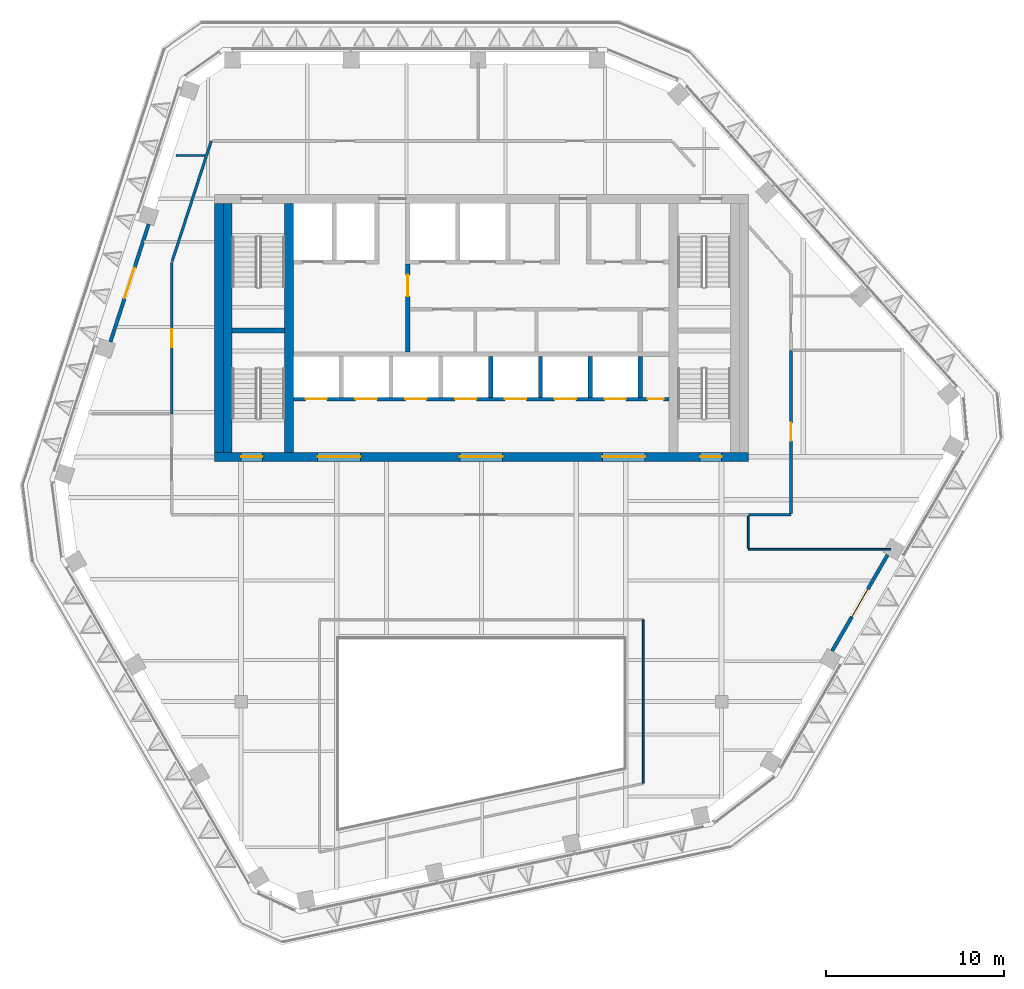
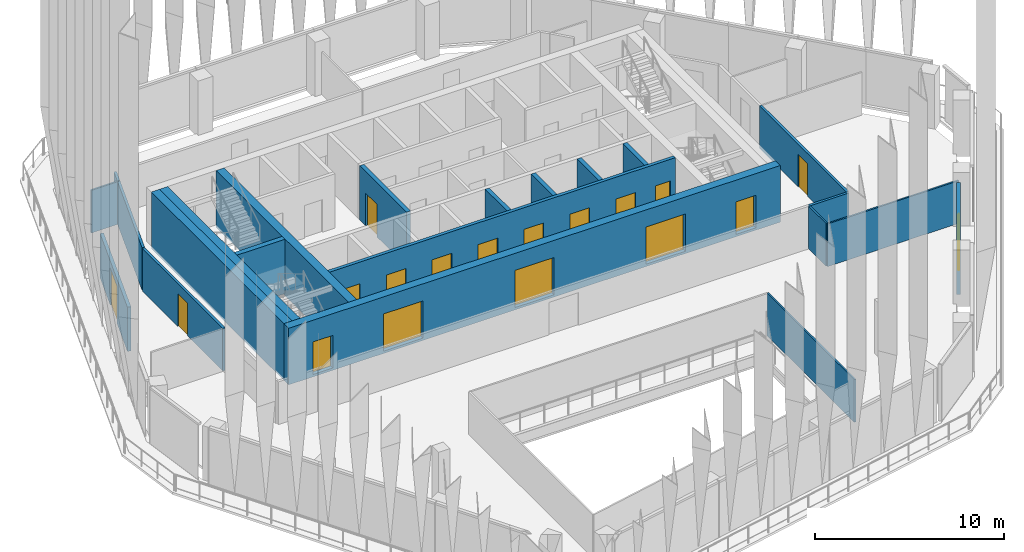
# One storey, part 8 of 21: 22 walls, 18 doors, 18 openings.
"""IFC4 building model written with IfcOpenShell, lengths in metres."""

from ifc_helpers import new_model, si_unit, direction, frame, frame_2d, origin, place, context, subcontext, project, spatial, rectangle, extrude, material, layer, layer_set, type_object, element, fill, save


model = new_model("IFC4")

# Units and contexts
model_context = context("Model", 3, precision=1e-05, world=origin(), true_north=direction((0.0, 1.0)))
body_context = subcontext(model_context, "Body", "Model", "MODEL_VIEW")
ifc_project = project(units=[si_unit("LENGTHUNIT", "METRE"), si_unit("AREAUNIT", "SQUARE_METRE"), si_unit("VOLUMEUNIT", "CUBIC_METRE"), si_unit("PLANEANGLEUNIT", "RADIAN"), si_unit("MASSUNIT", "GRAM", prefix="KILO")], contexts=[model_context])

# Site, building, storey
site_placement = place(None, origin())
site = spatial("IfcSite", under=ifc_project, at=site_placement, CompositionType="ELEMENT")
building_placement = place(site_placement, origin())
building = spatial("IfcBuilding", under=site, at=building_placement, Name="Isthmus Gate Tower", CompositionType="ELEMENT")
storey_placement = place(building_placement, frame((0.0, 0.0, 260.949951171875)))
storey = spatial("IfcBuildingStorey", under=building, at=storey_placement, Name="L66", CompositionType="ELEMENT", Elevation=260.949951171875)

# Walls
ifc_material_1 = material(Name="Fire-rated laminated glass in steel frame", Category="steel")
ifc_layer_1 = layer(ifc_material_1, 0.10009765625)
ifc_layer_set_1 = layer_set([ifc_layer_1], Name="ATRIUM SCREEN GLAZED WALL 100 120 MIN")
wall_type_1 = type_object("IfcWallType", Name="ATRIUM SCREEN GLAZED WALL 100 120 MIN", PredefinedType="PARTITIONING", material=ifc_layer_set_1)
wall_1_placement = place(storey_placement, frame((9.10009765625, -8.89990234375, 0.0), z_axis=(0.0, 0.0, 1.0), x_axis=(0.0, -1.0, 0.0)))
element("IfcWall", 1, at=wall_1_placement, inside=storey, type_object=wall_type_1, Name="L66 atrium screen", PredefinedType="PARTITIONING", context=body_context, shape_type="SweptSolid", body=[
    extrude(rectangle(XDim=9.200927734375, YDim=0.10009765625, at=frame_2d((4.6005859375, 0.0))), origin(), (0.0, 0.0, 1.0), 2.750732421875),
])
ifc_material_2 = material(Name="Gypsum board on steel studs, fire-rated", Category="steel")
ifc_layer_2 = layer(ifc_material_2, 0.14990234375)
ifc_layer_set_2 = layer_set([ifc_layer_2], Name="CORRIDOR WALL 150 60 MIN")
wall_type_2 = type_object("IfcWallType", Name="CORRIDOR WALL 150 60 MIN", PredefinedType="PARTITIONING", material=ifc_layer_set_2)
wall_2_placement = place(storey_placement, frame((17.39990234375, -3.0, 0.0), z_axis=(0.0, 0.0, 1.0), x_axis=(-1.0, 0.0, 0.0)))
element("IfcWall", 2, at=wall_2_placement, inside=storey, type_object=wall_type_2, Name="L66 Corridor Wall 150 60 Min", PredefinedType="PARTITIONING", context=body_context, shape_type="SweptSolid", body=[
    extrude(rectangle(XDim=2.39990234375, YDim=0.14990234375, at=frame_2d((1.199951171875, 0.0))), origin(), (0.0, 0.0, 1.0), 2.750732421875),
])

# Wall, opening, door
wall_3_placement = place(storey_placement, frame((17.39990234375, 6.237060546875, 0.0), z_axis=(0.0, 0.0, 1.0), x_axis=(0.0, -1.0, 0.0)))
wall_3 = element("IfcWall", 3, at=wall_3_placement, inside=storey, type_object=wall_type_2, Name="L66 Corridor Wall 150 60 Min", PredefinedType="PARTITIONING", context=body_context, shape_type="SweptSolid", body=[
    extrude(rectangle(XDim=9.162109375, YDim=0.14990234375, at=frame_2d((4.5810546875, 0.0))), origin(), (0.0, 0.0, 1.0), 2.750732421875),
])
opening_1_placement = place(wall_3_placement, frame((4.0810546875, 0.0, 0.0)))
opening_1 = element("IfcOpeningElement", 4, at=opening_1_placement, cuts=wall_3, Name="Opening DT-T6A-06", PredefinedType="OPENING", context=body_context, shape_type="SweptSolid", body=[
    extrude(rectangle(XDim=1.0, YDim=2.10009765625, at=frame_2d((0.5, 1.050048828125))), frame((0.0, 0.0849609375, 0.0), z_axis=(0.0, -1.0, 0.0), x_axis=(1.0, 0.0, 0.0)), (0.0, 0.0, 1.0), 0.169921875),
])
ifc_material_3 = material(Name="Solid core timber door leaf, fire-rated", Category="wood")
door_type_1 = type_object("IfcDoorType", Name="FIRE DOOR ROOM 1000 X 2100 60 MIN", OperationType="SINGLE_SWING_LEFT", PredefinedType="DOOR", material=ifc_material_3)
door_1_placement = place(opening_1_placement, origin())
door_1 = element("IfcDoor", 5, at=door_1_placement, inside=storey, type_object=door_type_1, Name="L66 room door", OperationType="SINGLE_SWING_RIGHT", OverallHeight=2.10009765625, OverallWidth=1.0, PredefinedType="DOOR", context=body_context, shape_type="SweptSolid", body=[
    extrude(rectangle(XDim=1.0, YDim=2.10009765625, at=frame_2d((0.5, 1.050048828125))), frame((0.0, 0.02490234375, 0.0), z_axis=(0.0, -1.0, 0.0), x_axis=(1.0, 0.0, 0.0)), (0.0, 0.0, 1.0), 0.050048828125),
])
fill(opening_1, door_1)

# Wall
wall_4_placement = place(storey_placement, frame((-15.44189453125, 17.18701171875, 0.0), z_axis=(0.0, 0.0, 1.0), x_axis=(0.308763129345, 0.951138964588, 0.0)))
element("IfcWall", 6, at=wall_4_placement, inside=storey, type_object=wall_type_2, Name="L66 Corridor Wall 150 60 Min", PredefinedType="PARTITIONING", context=body_context, shape_type="SweptSolid", body=[
    extrude(rectangle(XDim=0.854736328125, YDim=0.14990234375, at=frame_2d((0.42724609375, 0.0))), origin(), (0.0, 0.0, 1.0), 2.750732421875),
])

# Wall, opening, door
wall_5_placement = place(storey_placement, frame((-17.39990234375, 2.669921875, 0.0), z_axis=(0.0, 0.0, 1.0), x_axis=(0.0, 1.0, 0.0)))
wall_5 = element("IfcWall", 7, at=wall_5_placement, inside=storey, type_object=wall_type_2, Name="L66 Corridor Wall 150 60 Min", PredefinedType="PARTITIONING", context=body_context, shape_type="SweptSolid", body=[
    extrude(rectangle(XDim=8.490966796875, YDim=0.14990234375, at=frame_2d((4.24560546875, 0.0))), origin(), (0.0, 0.0, 1.0), 2.750732421875),
])
opening_2_placement = place(wall_5_placement, frame((3.74560546875, 0.0, 0.0)))
opening_2 = element("IfcOpeningElement", 8, at=opening_2_placement, cuts=wall_5, Name="Opening DT-T6A-04", PredefinedType="OPENING", context=body_context, shape_type="SweptSolid", body=[
    extrude(rectangle(XDim=1.0, YDim=2.10009765625, at=frame_2d((0.5, 1.050048828125))), frame((0.0, 0.0849609375, 0.0), z_axis=(0.0, -1.0, 0.0), x_axis=(1.0, 0.0, 0.0)), (0.0, 0.0, 1.0), 0.169921875),
])
door_2_placement = place(opening_2_placement, origin())
door_2 = element("IfcDoor", 9, at=door_2_placement, inside=storey, type_object=door_type_1, Name="L66 room door", OperationType="SINGLE_SWING_RIGHT", OverallHeight=2.10009765625, OverallWidth=1.0, PredefinedType="DOOR", context=body_context, shape_type="SweptSolid", body=[
    extrude(rectangle(XDim=1.0, YDim=2.10009765625, at=frame_2d((0.5, 1.050048828125))), frame((0.0, 0.02490234375, 0.0), z_axis=(0.0, -1.0, 0.0), x_axis=(1.0, 0.0, 0.0)), (0.0, 0.0, 1.0), 0.050048828125),
])
fill(opening_2, door_2)

# Wall
wall_6_placement = place(storey_placement, frame((-17.376708984375, 11.232421875, 0.0), z_axis=(0.0, 0.0, 1.0), x_axis=(0.309001632963, 0.951061507383, 0.0)))
element("IfcWall", 10, at=wall_6_placement, inside=storey, type_object=wall_type_2, Name="L66 Corridor Wall 150 60 Min", PredefinedType="PARTITIONING", context=body_context, shape_type="SweptSolid", body=[
    extrude(rectangle(XDim=6.2109375, YDim=0.14990234375, at=frame_2d((3.10546875, 0.0))), origin(), (0.0, 0.0, 1.0), 2.750732421875),
])

# Wall, opening, door
ifc_material_4 = material(Name="Fire-rated blockwork masonry, 15 MPa", Category="masonry")
ifc_layer_3 = layer(ifc_material_4, 0.25)
ifc_layer_set_3 = layer_set([ifc_layer_3], Name="FIRE-FIGHTING LOBBY WALL 250 90 MIN")
wall_type_3 = type_object("IfcWallType", Name="FIRE-FIGHTING LOBBY WALL 250 90 MIN", PredefinedType="PARTITIONING", material=ifc_layer_set_3)
wall_7_placement = place(storey_placement, frame((-4.125, 6.14990234375, 0.0), z_axis=(0.0, 0.0, 1.0), x_axis=(0.0, 1.0, 0.0)))
wall_7 = element("IfcWall", 11, at=wall_7_placement, inside=storey, type_object=wall_type_3, Name="L66 FIRE-FIGHTING LOBBY WALL 250 90 MIN", PredefinedType="PARTITIONING", context=body_context, shape_type="SweptSolid", body=[
    extrude(rectangle(XDim=4.9501953125, YDim=0.25, at=frame_2d((2.47509765625, 0.0))), origin(), (0.0, 0.0, 1.0), 3.5),
])
opening_3_placement = place(wall_7_placement, frame((3.125, 0.0, 0.0)))
opening_3 = element("IfcOpeningElement", 12, at=opening_3_placement, cuts=wall_7, Name="Opening DC-A20-01", PredefinedType="OPENING", context=body_context, shape_type="SweptSolid", body=[
    extrude(rectangle(XDim=1.199951171875, YDim=2.10009765625, at=frame_2d((0.60009765625, 1.050048828125))), frame((0.0, 0.135009765625, 0.0), z_axis=(0.0, -1.0, 0.0), x_axis=(1.0, 0.0, 0.0)), (0.0, 0.0, 1.0), 0.27001953125),
])
ifc_material_5 = material(Name="Steel door leaf, fire-rated", Category="steel")
door_type_2 = type_object("IfcDoorType", Name="LOBBY FIRE DOOR 1200 X 2100 90 MIN", OperationType="DOUBLE_DOOR_SINGLE_SWING", PredefinedType="DOOR", material=ifc_material_5)
door_3_placement = place(opening_3_placement, origin())
door_3 = element("IfcDoor", 13, at=door_3_placement, inside=storey, type_object=door_type_2, Name="Fire-fighting Lobby Door", OperationType="SINGLE_SWING_LEFT", OverallHeight=2.10009765625, OverallWidth=1.199951171875, PredefinedType="DOOR", context=body_context, shape_type="SweptSolid", body=[
    extrude(rectangle(XDim=1.199951171875, YDim=2.10009765625, at=frame_2d((0.60009765625, 1.050048828125))), frame((0.0, 0.02490234375, 0.0), z_axis=(0.0, -1.0, 0.0), x_axis=(1.0, 0.0, 0.0)), (0.0, 0.0, 1.0), 0.050048828125),
])
fill(opening_3, door_3)

# Wall
ifc_material_6 = material(Name="Concrete f'c 50 MPa", Category="concrete")
ifc_layer_4 = layer(ifc_material_6, 0.5)
ifc_layer_set_4 = layer_set([ifc_layer_4], Name="RC CORE SPINE WALL 500 F'C 50")
wall_type_4 = type_object("IfcWallType", Name="RC CORE SPINE WALL 500 F'C 50", PredefinedType="SOLIDWALL", material=ifc_layer_set_4)
wall_8_placement = place(storey_placement, frame((-10.800048828125, 0.5, -0.14990234375), z_axis=(0.0, 0.0, 1.0), x_axis=(0.0, 1.0, 0.0)))
element("IfcWall", 14, at=wall_8_placement, inside=storey, type_object=wall_type_4, Name="str-corewall-L66-SPW", PredefinedType="SOLIDWALL", context=body_context, shape_type="SweptSolid", body=[
    extrude(rectangle(XDim=14.0, YDim=0.5, at=frame_2d((7.0, 0.0))), origin(), (0.0, 0.0, 1.0), 3.64990234375),
])

# Wall, openings, doors
ifc_material_7 = material(Name="Concrete f'c 50 MPa", Category="concrete")
ifc_layer_5 = layer(ifc_material_7, 0.5)
ifc_layer_set_5 = layer_set([ifc_layer_5], Name="RC CORE WALL 500 F'C 50")
wall_type_5 = type_object("IfcWallType", Name="RC CORE WALL 500 F'C 50", PredefinedType="SOLIDWALL", material=ifc_layer_set_5)
wall_9_placement = place(storey_placement, frame((-15.0, 0.25, -0.14990234375), z_axis=(0.0, 0.0, 1.0), x_axis=(1.0, 0.0, 0.0)))
wall_9 = element("IfcWall", 15, at=wall_9_placement, inside=storey, type_object=wall_type_5, Name="str-corewall-L66-S", PredefinedType="SOLIDWALL", context=body_context, shape_type="SweptSolid", body=[
    extrude(rectangle(XDim=30.0, YDim=0.5, at=frame_2d((15.0, 0.0))), origin(), (0.0, 0.0, 1.0), 3.64990234375),
])
opening_4_placement = place(wall_9_placement, frame((5.800048828125, 0.0, 0.14990234375)))
opening_4 = element("IfcOpeningElement", 16, at=opening_4_placement, cuts=wall_9, Name="Opening DC-A20-10", PredefinedType="OPENING", context=body_context, shape_type="SweptSolid", body=[
    extrude(rectangle(XDim=2.39990234375, YDim=2.39990234375, at=frame_2d((1.199951171875, 1.199951171875))), frame((0.0, 0.260009765625, 0.0), z_axis=(0.0, -1.0, 0.0), x_axis=(1.0, 0.0, 0.0)), (0.0, 0.0, 1.0), 0.52001953125),
])
opening_5_placement = place(wall_9_placement, frame((13.800048828125, 0.0, 0.14990234375)))
opening_5 = element("IfcOpeningElement", 17, at=opening_5_placement, cuts=wall_9, Name="Opening DC-A20-11", PredefinedType="OPENING", context=body_context, shape_type="SweptSolid", body=[
    extrude(rectangle(XDim=2.39990234375, YDim=2.39990234375, at=frame_2d((1.199951171875, 1.199951171875))), frame((0.0, 0.260009765625, 0.0), z_axis=(0.0, -1.0, 0.0), x_axis=(1.0, 0.0, 0.0)), (0.0, 0.0, 1.0), 0.52001953125),
])
opening_6_placement = place(wall_9_placement, frame((21.800048828125, 0.0, 0.14990234375)))
opening_6 = element("IfcOpeningElement", 18, at=opening_6_placement, cuts=wall_9, Name="Opening DC-A20-12", PredefinedType="OPENING", context=body_context, shape_type="SweptSolid", body=[
    extrude(rectangle(XDim=2.39990234375, YDim=2.39990234375, at=frame_2d((1.199951171875, 1.199951171875))), frame((0.0, 0.260009765625, 0.0), z_axis=(0.0, -1.0, 0.0), x_axis=(1.0, 0.0, 0.0)), (0.0, 0.0, 1.0), 0.52001953125),
])
opening_7_placement = place(wall_9_placement, frame((1.5, 0.0, 0.14990234375)))
opening_7 = element("IfcOpeningElement", 19, at=opening_7_placement, cuts=wall_9, Name="Opening DC-A20-17", PredefinedType="OPENING", context=body_context, shape_type="SweptSolid", body=[
    extrude(rectangle(XDim=1.199951171875, YDim=2.10009765625, at=frame_2d((0.60009765625, 1.050048828125))), frame((0.0, 0.260009765625, 0.0), z_axis=(0.0, -1.0, 0.0), x_axis=(1.0, 0.0, 0.0)), (0.0, 0.0, 1.0), 0.52001953125),
])
opening_8_placement = place(wall_9_placement, frame((27.300048828125, 0.0, 0.14990234375)))
opening_8 = element("IfcOpeningElement", 20, at=opening_8_placement, cuts=wall_9, Name="Opening DC-A20-18", PredefinedType="OPENING", context=body_context, shape_type="SweptSolid", body=[
    extrude(rectangle(XDim=1.199951171875, YDim=2.10009765625, at=frame_2d((0.60009765625, 1.050048828125))), frame((0.0, 0.260009765625, 0.0), z_axis=(0.0, -1.0, 0.0), x_axis=(1.0, 0.0, 0.0)), (0.0, 0.0, 1.0), 0.52001953125),
])
ifc_material_8 = material(Name="Laminated safety glass in steel frame, fire-rated", Category="steel")
door_type_3 = type_object("IfcDoorType", Name="LOBBY ENTRANCE FIRE DOOR 2400 X 2400 60 MIN", OperationType="DOUBLE_DOOR_DOUBLE_SWING", PredefinedType="DOOR", material=ifc_material_8)
door_4_placement = place(opening_4_placement, origin())
door_4 = element("IfcDoor", 21, at=door_4_placement, inside=storey, type_object=door_type_3, Name="Lobby Entrance PS-W", OperationType="DOUBLE_DOOR_DOUBLE_SWING", OverallHeight=2.39990234375, OverallWidth=2.39990234375, PredefinedType="DOOR", context=body_context, shape_type="SweptSolid", body=[
    extrude(rectangle(XDim=2.39990234375, YDim=2.39990234375, at=frame_2d((1.199951171875, 1.199951171875))), frame((0.0, 0.02490234375, 0.0), z_axis=(0.0, -1.0, 0.0), x_axis=(1.0, 0.0, 0.0)), (0.0, 0.0, 1.0), 0.050048828125),
])
fill(opening_4, door_4)
door_5_placement = place(opening_5_placement, origin())
door_5 = element("IfcDoor", 22, at=door_5_placement, inside=storey, type_object=door_type_3, Name="Lobby Entrance PS-C", OperationType="DOUBLE_DOOR_DOUBLE_SWING", OverallHeight=2.39990234375, OverallWidth=2.39990234375, PredefinedType="DOOR", context=body_context, shape_type="SweptSolid", body=[
    extrude(rectangle(XDim=2.39990234375, YDim=2.39990234375, at=frame_2d((1.199951171875, 1.199951171875))), frame((0.0, 0.02490234375, 0.0), z_axis=(0.0, -1.0, 0.0), x_axis=(1.0, 0.0, 0.0)), (0.0, 0.0, 1.0), 0.050048828125),
])
fill(opening_5, door_5)
door_6_placement = place(opening_6_placement, origin())
door_6 = element("IfcDoor", 23, at=door_6_placement, inside=storey, type_object=door_type_3, Name="Lobby Entrance PS-E", OperationType="DOUBLE_DOOR_DOUBLE_SWING", OverallHeight=2.39990234375, OverallWidth=2.39990234375, PredefinedType="DOOR", context=body_context, shape_type="SweptSolid", body=[
    extrude(rectangle(XDim=2.39990234375, YDim=2.39990234375, at=frame_2d((1.199951171875, 1.199951171875))), frame((0.0, 0.02490234375, 0.0), z_axis=(0.0, -1.0, 0.0), x_axis=(1.0, 0.0, 0.0)), (0.0, 0.0, 1.0), 0.050048828125),
])
fill(opening_6, door_6)
ifc_material_9 = material(Name="Steel door leaf, fire-rated", Category="steel")
door_type_4 = type_object("IfcDoorType", Name="STAIR FIRE DOOR 1200 X 2100 90 MIN", OperationType="SINGLE_SWING_LEFT", PredefinedType="DOOR", material=ifc_material_9)
door_7_placement = place(opening_7_placement, origin())
door_7 = element("IfcDoor", 24, at=door_7_placement, inside=storey, type_object=door_type_4, Name="Exit Stair 7 Door", OperationType="SINGLE_SWING_LEFT", OverallHeight=2.10009765625, OverallWidth=1.199951171875, PredefinedType="DOOR", context=body_context, shape_type="SweptSolid", body=[
    extrude(rectangle(XDim=1.199951171875, YDim=2.10009765625, at=frame_2d((0.60009765625, 1.050048828125))), frame((0.0, 0.02490234375, 0.0), z_axis=(0.0, -1.0, 0.0), x_axis=(1.0, 0.0, 0.0)), (0.0, 0.0, 1.0), 0.050048828125),
])
fill(opening_7, door_7)
door_8_placement = place(opening_8_placement, origin())
door_8 = element("IfcDoor", 25, at=door_8_placement, inside=storey, type_object=door_type_4, Name="Exit Stair 8 Door", OperationType="SINGLE_SWING_RIGHT", OverallHeight=2.10009765625, OverallWidth=1.199951171875, PredefinedType="DOOR", context=body_context, shape_type="SweptSolid", body=[
    extrude(rectangle(XDim=1.199951171875, YDim=2.10009765625, at=frame_2d((0.60009765625, 1.050048828125))), frame((0.0, 0.02490234375, 0.0), z_axis=(0.0, -1.0, 0.0), x_axis=(1.0, 0.0, 0.0)), (0.0, 0.0, 1.0), 0.050048828125),
])
fill(opening_8, door_8)

# Walls
wall_10_placement = place(storey_placement, frame((-14.75, 0.5, -0.14990234375), z_axis=(0.0, 0.0, 1.0), x_axis=(0.0, 1.0, 0.0)))
element("IfcWall", 26, at=wall_10_placement, inside=storey, type_object=wall_type_5, Name="str-corewall-L66-W", PredefinedType="SOLIDWALL", context=body_context, shape_type="SweptSolid", body=[
    extrude(rectangle(XDim=14.0, YDim=0.5, at=frame_2d((7.0, 0.0))), origin(), (0.0, 0.0, 1.0), 3.64990234375),
])
ifc_material_10 = material(Name="Gypsum board on steel studs, fire-rated", Category="steel")
ifc_layer_6 = layer(ifc_material_10, 0.10009765625)
ifc_layer_set_6 = layer_set([ifc_layer_6], Name="ROOM PARTITION 100 30 MIN")
wall_type_6 = type_object("IfcWallType", Name="ROOM PARTITION 100 30 MIN", PredefinedType="PARTITIONING", material=ifc_layer_set_6)
wall_11_placement = place(storey_placement, frame((-17.139892578125, 17.18701171875, 0.0), z_axis=(0.0, 0.0, 1.0), x_axis=(1.0, 0.0, 0.0)))
element("IfcWall", 27, at=wall_11_placement, inside=storey, type_object=wall_type_6, Name="L66 Room Partition 100 30 Min", PredefinedType="PARTITIONING", context=body_context, shape_type="SweptSolid", body=[
    extrude(rectangle(XDim=1.622802734375, YDim=0.10009765625, at=frame_2d((0.8115234375, 0.0))), origin(), (0.0, 0.0, 1.0), 2.750732421875),
])
wall_12_placement = place(storey_placement, frame((15.0, -4.945068359375, 0.0), z_axis=(0.0, 0.0, 1.0), x_axis=(1.0, 0.0, 0.0)))
element("IfcWall", 28, at=wall_12_placement, inside=storey, type_object=wall_type_6, Name="L66 Room Partition 100 30 Min", PredefinedType="PARTITIONING", context=body_context, shape_type="SweptSolid", body=[
    extrude(rectangle(XDim=8.010009765625, YDim=0.10009765625, at=frame_2d((4.0048828125, 0.0))), origin(), (0.0, 0.0, 1.0), 2.750732421875),
])
wall_13_placement = place(storey_placement, frame((15.0, -4.89501953125, 0.0), z_axis=(0.0, 0.0, 1.0), x_axis=(0.0, 1.0, 0.0)))
element("IfcWall", 29, at=wall_13_placement, inside=storey, type_object=wall_type_6, Name="L66 Room Partition 100 30 Min", PredefinedType="PARTITIONING", context=body_context, shape_type="SweptSolid", body=[
    extrude(rectangle(XDim=1.820068359375, YDim=0.10009765625, at=frame_2d((0.91015625, 0.0))), origin(), (0.0, 0.0, 1.0), 2.750732421875),
])

# Wall, openings, doors
ifc_material_11 = material(Name="Fire-rated blockwork masonry, 15 MPa", Category="masonry")
ifc_layer_7 = layer(ifc_material_11, 0.199951171875)
ifc_layer_set_7 = layer_set([ifc_layer_7], Name="SHAFT FRONT WALL 200 120 MIN")
wall_type_7 = type_object("IfcWallType", Name="SHAFT FRONT WALL 200 120 MIN", PredefinedType="PARTITIONING", material=ifc_layer_set_7)
wall_14_placement = place(storey_placement, frame((-10.550048828125, 3.5, 0.0), z_axis=(0.0, 0.0, 1.0), x_axis=(1.0, 0.0, 0.0)))
wall_14 = element("IfcWall", 30, at=wall_14_placement, inside=storey, type_object=wall_type_7, Name="L66 SHAFT FRONT WALL 200 120 MIN", PredefinedType="PARTITIONING", context=body_context, shape_type="SweptSolid", body=[
    extrude(rectangle(XDim=21.10009765625, YDim=0.199951171875, at=frame_2d((10.550048828125, 0.0))), origin(), (0.0, 0.0, 1.0), 3.5),
])
opening_9_placement = place(wall_14_placement, frame((0.675048828125, 0.0, 0.0)))
opening_9 = element("IfcOpeningElement", 31, at=opening_9_placement, cuts=wall_14, Name="Opening LD-LC1", PredefinedType="OPENING", context=body_context, shape_type="SweptSolid", body=[
    extrude(rectangle(XDim=1.199951171875, YDim=2.10009765625, at=frame_2d((0.60009765625, 1.050048828125))), frame((0.0, 0.10986328125, 0.0), z_axis=(0.0, -1.0, 0.0), x_axis=(1.0, 0.0, 0.0)), (0.0, 0.0, 1.0), 0.219970703125),
])
opening_10_placement = place(wall_14_placement, frame((3.47509765625, 0.0, 0.0)))
opening_10 = element("IfcOpeningElement", 32, at=opening_10_placement, cuts=wall_14, Name="Opening LD-LC2", PredefinedType="OPENING", context=body_context, shape_type="SweptSolid", body=[
    extrude(rectangle(XDim=1.199951171875, YDim=2.10009765625, at=frame_2d((0.60009765625, 1.050048828125))), frame((0.0, 0.10986328125, 0.0), z_axis=(0.0, -1.0, 0.0), x_axis=(1.0, 0.0, 0.0)), (0.0, 0.0, 1.0), 0.219970703125),
])
opening_11_placement = place(wall_14_placement, frame((6.27490234375, 0.0, 0.0)))
opening_11 = element("IfcOpeningElement", 33, at=opening_11_placement, cuts=wall_14, Name="Opening LD-LC3", PredefinedType="OPENING", context=body_context, shape_type="SweptSolid", body=[
    extrude(rectangle(XDim=1.199951171875, YDim=2.10009765625, at=frame_2d((0.60009765625, 1.050048828125))), frame((0.0, 0.10986328125, 0.0), z_axis=(0.0, -1.0, 0.0), x_axis=(1.0, 0.0, 0.0)), (0.0, 0.0, 1.0), 0.219970703125),
])
opening_12_placement = place(wall_14_placement, frame((9.074951171875, 0.0, 0.0)))
opening_12 = element("IfcOpeningElement", 34, at=opening_12_placement, cuts=wall_14, Name="Opening LD-LC4", PredefinedType="OPENING", context=body_context, shape_type="SweptSolid", body=[
    extrude(rectangle(XDim=1.199951171875, YDim=2.10009765625, at=frame_2d((0.60009765625, 1.050048828125))), frame((0.0, 0.10986328125, 0.0), z_axis=(0.0, -1.0, 0.0), x_axis=(1.0, 0.0, 0.0)), (0.0, 0.0, 1.0), 0.219970703125),
])
opening_13_placement = place(wall_14_placement, frame((11.875, 0.0, 0.0)))
opening_13 = element("IfcOpeningElement", 35, at=opening_13_placement, cuts=wall_14, Name="Opening LD-LC5", PredefinedType="OPENING", context=body_context, shape_type="SweptSolid", body=[
    extrude(rectangle(XDim=1.199951171875, YDim=2.10009765625, at=frame_2d((0.60009765625, 1.050048828125))), frame((0.0, 0.10986328125, 0.0), z_axis=(0.0, -1.0, 0.0), x_axis=(1.0, 0.0, 0.0)), (0.0, 0.0, 1.0), 0.219970703125),
])
opening_14_placement = place(wall_14_placement, frame((14.675048828125, 0.0, 0.0)))
opening_14 = element("IfcOpeningElement", 36, at=opening_14_placement, cuts=wall_14, Name="Opening LD-LC6", PredefinedType="OPENING", context=body_context, shape_type="SweptSolid", body=[
    extrude(rectangle(XDim=1.199951171875, YDim=2.10009765625, at=frame_2d((0.60009765625, 1.050048828125))), frame((0.0, 0.10986328125, 0.0), z_axis=(0.0, -1.0, 0.0), x_axis=(1.0, 0.0, 0.0)), (0.0, 0.0, 1.0), 0.219970703125),
])
opening_15_placement = place(wall_14_placement, frame((17.47509765625, 0.0, 0.0)))
opening_15 = element("IfcOpeningElement", 37, at=opening_15_placement, cuts=wall_14, Name="Opening LD-LC7", PredefinedType="OPENING", context=body_context, shape_type="SweptSolid", body=[
    extrude(rectangle(XDim=1.199951171875, YDim=2.10009765625, at=frame_2d((0.60009765625, 1.050048828125))), frame((0.0, 0.10986328125, 0.0), z_axis=(0.0, -1.0, 0.0), x_axis=(1.0, 0.0, 0.0)), (0.0, 0.0, 1.0), 0.219970703125),
])
opening_16_placement = place(wall_14_placement, frame((19.89990234375, 0.0, 0.0)))
opening_16 = element("IfcOpeningElement", 38, at=opening_16_placement, cuts=wall_14, Name="Opening DC-A20-02", PredefinedType="OPENING", context=body_context, shape_type="SweptSolid", body=[
    extrude(rectangle(XDim=0.89990234375, YDim=2.10009765625, at=frame_2d((0.449951171875, 1.050048828125))), frame((0.0, 0.10986328125, 0.0), z_axis=(0.0, -1.0, 0.0), x_axis=(1.0, 0.0, 0.0)), (0.0, 0.0, 1.0), 0.219970703125),
])
ifc_material_12 = material(Name="Stainless steel sliding leaf", Category="steel")
door_type_5 = type_object("IfcDoorType", Name="LIFT LANDING FIRE DOOR 1200 X 2100 90 MIN", OperationType="DOUBLE_DOOR_SLIDING", PredefinedType="DOOR", material=ifc_material_12)
door_9_placement = place(opening_9_placement, origin())
door_9 = element("IfcDoor", 39, at=door_9_placement, inside=storey, type_object=door_type_5, Name="Lift Landing Door LC1", OperationType="DOUBLE_DOOR_SLIDING", OverallHeight=2.10009765625, OverallWidth=1.199951171875, PredefinedType="DOOR", context=body_context, shape_type="SweptSolid", body=[
    extrude(rectangle(XDim=1.199951171875, YDim=2.10009765625, at=frame_2d((0.60009765625, 1.050048828125))), frame((0.0, 0.02490234375, 0.0), z_axis=(0.0, -1.0, 0.0), x_axis=(1.0, 0.0, 0.0)), (0.0, 0.0, 1.0), 0.050048828125),
])
fill(opening_9, door_9)
door_10_placement = place(opening_10_placement, origin())
door_10 = element("IfcDoor", 40, at=door_10_placement, inside=storey, type_object=door_type_5, Name="Lift Landing Door LC2", OperationType="DOUBLE_DOOR_SLIDING", OverallHeight=2.10009765625, OverallWidth=1.199951171875, PredefinedType="DOOR", context=body_context, shape_type="SweptSolid", body=[
    extrude(rectangle(XDim=1.199951171875, YDim=2.10009765625, at=frame_2d((0.60009765625, 1.050048828125))), frame((0.0, 0.02490234375, 0.0), z_axis=(0.0, -1.0, 0.0), x_axis=(1.0, 0.0, 0.0)), (0.0, 0.0, 1.0), 0.050048828125),
])
fill(opening_10, door_10)
door_11_placement = place(opening_11_placement, origin())
door_11 = element("IfcDoor", 41, at=door_11_placement, inside=storey, type_object=door_type_5, Name="Lift Landing Door LC3", OperationType="DOUBLE_DOOR_SLIDING", OverallHeight=2.10009765625, OverallWidth=1.199951171875, PredefinedType="DOOR", context=body_context, shape_type="SweptSolid", body=[
    extrude(rectangle(XDim=1.199951171875, YDim=2.10009765625, at=frame_2d((0.60009765625, 1.050048828125))), frame((0.0, 0.02490234375, 0.0), z_axis=(0.0, -1.0, 0.0), x_axis=(1.0, 0.0, 0.0)), (0.0, 0.0, 1.0), 0.050048828125),
])
fill(opening_11, door_11)
door_12_placement = place(opening_12_placement, origin())
door_12 = element("IfcDoor", 42, at=door_12_placement, inside=storey, type_object=door_type_5, Name="Lift Landing Door LC4", OperationType="DOUBLE_DOOR_SLIDING", OverallHeight=2.10009765625, OverallWidth=1.199951171875, PredefinedType="DOOR", context=body_context, shape_type="SweptSolid", body=[
    extrude(rectangle(XDim=1.199951171875, YDim=2.10009765625, at=frame_2d((0.60009765625, 1.050048828125))), frame((0.0, 0.02490234375, 0.0), z_axis=(0.0, -1.0, 0.0), x_axis=(1.0, 0.0, 0.0)), (0.0, 0.0, 1.0), 0.050048828125),
])
fill(opening_12, door_12)
door_13_placement = place(opening_13_placement, origin())
door_13 = element("IfcDoor", 43, at=door_13_placement, inside=storey, type_object=door_type_5, Name="Lift Landing Door LC5", OperationType="DOUBLE_DOOR_SLIDING", OverallHeight=2.10009765625, OverallWidth=1.199951171875, PredefinedType="DOOR", context=body_context, shape_type="SweptSolid", body=[
    extrude(rectangle(XDim=1.199951171875, YDim=2.10009765625, at=frame_2d((0.60009765625, 1.050048828125))), frame((0.0, 0.02490234375, 0.0), z_axis=(0.0, -1.0, 0.0), x_axis=(1.0, 0.0, 0.0)), (0.0, 0.0, 1.0), 0.050048828125),
])
fill(opening_13, door_13)
door_14_placement = place(opening_14_placement, origin())
door_14 = element("IfcDoor", 44, at=door_14_placement, inside=storey, type_object=door_type_5, Name="Lift Landing Door LC6", OperationType="DOUBLE_DOOR_SLIDING", OverallHeight=2.10009765625, OverallWidth=1.199951171875, PredefinedType="DOOR", context=body_context, shape_type="SweptSolid", body=[
    extrude(rectangle(XDim=1.199951171875, YDim=2.10009765625, at=frame_2d((0.60009765625, 1.050048828125))), frame((0.0, 0.02490234375, 0.0), z_axis=(0.0, -1.0, 0.0), x_axis=(1.0, 0.0, 0.0)), (0.0, 0.0, 1.0), 0.050048828125),
])
fill(opening_14, door_14)
door_15_placement = place(opening_15_placement, origin())
door_15 = element("IfcDoor", 45, at=door_15_placement, inside=storey, type_object=door_type_5, Name="Lift Landing Door LC7", OperationType="DOUBLE_DOOR_SLIDING", OverallHeight=2.10009765625, OverallWidth=1.199951171875, PredefinedType="DOOR", context=body_context, shape_type="SweptSolid", body=[
    extrude(rectangle(XDim=1.199951171875, YDim=2.10009765625, at=frame_2d((0.60009765625, 1.050048828125))), frame((0.0, 0.02490234375, 0.0), z_axis=(0.0, -1.0, 0.0), x_axis=(1.0, 0.0, 0.0)), (0.0, 0.0, 1.0), 0.050048828125),
])
fill(opening_15, door_15)
ifc_material_13 = material(Name="Steel door leaf, fire-rated", Category="steel")
door_type_6 = type_object("IfcDoorType", Name="RISER FIRE DOOR 900 X 2100 90 MIN", OperationType="SINGLE_SWING_LEFT", PredefinedType="DOOR", material=ifc_material_13)
door_16_placement = place(opening_16_placement, origin())
door_16 = element("IfcDoor", 46, at=door_16_placement, inside=storey, type_object=door_type_6, Name="Riser Door", OperationType="SINGLE_SWING_RIGHT", OverallHeight=2.10009765625, OverallWidth=0.89990234375, PredefinedType="DOOR", context=body_context, shape_type="SweptSolid", body=[
    extrude(rectangle(XDim=0.89990234375, YDim=2.10009765625, at=frame_2d((0.449951171875, 1.050048828125))), frame((0.0, 0.02490234375, 0.0), z_axis=(0.0, -1.0, 0.0), x_axis=(1.0, 0.0, 0.0)), (0.0, 0.0, 1.0), 0.050048828125),
])
fill(opening_16, door_16)

# Walls
ifc_material_14 = material(Name="Fire-rated blockwork masonry, 15 MPa", Category="masonry")
ifc_layer_8 = layer(ifc_material_14, 0.25)
ifc_layer_set_8 = layer_set([ifc_layer_8], Name="SHAFT WALL 250 120 MIN")
wall_type_8 = type_object("IfcWallType", Name="SHAFT WALL 250 120 MIN", PredefinedType="PARTITIONING", material=ifc_layer_set_8)
for number, where, z_axis, x_axis, name in (
    (47, (0.52490234375, 3.60009765625, 0.0), (0.0, 0.0, 1.0), (0.0, 1.0, 0.0), "L66 SHAFT WALL 250 120 MIN"),
    (48, (3.324951171875, 3.60009765625, 0.0), (0.0, 0.0, 1.0), (0.0, 1.0, 0.0), "L66 SHAFT WALL 250 120 MIN"),
    (49, (6.125, 3.60009765625, 0.0), (0.0, 0.0, 1.0), (0.0, 1.0, 0.0), "L66 SHAFT WALL 250 120 MIN"),
    (50, (8.925048828125, 3.60009765625, 0.0), (0.0, 0.0, 1.0), (0.0, 1.0, 0.0), "L66 SHAFT WALL 250 120 MIN"),
):
    element("IfcWall", number, at=place(storey_placement, frame(where, z_axis=z_axis, x_axis=x_axis)), inside=storey, type_object=wall_type_8, Name=name, PredefinedType="PARTITIONING", context=body_context, shape_type="SweptSolid", body=[
        extrude(rectangle(XDim=2.2998046875, YDim=0.25, at=frame_2d((1.14990234375, 0.0))), origin(), (0.0, 0.0, 1.0), 3.5),
    ])
ifc_material_15 = material(Name="Concrete f'c 40 MPa", Category="concrete")
ifc_layer_9 = layer(ifc_material_15, 0.300048828125)
ifc_layer_set_9 = layer_set([ifc_layer_9], Name="STAIR ENCLOSURE WALL 300 180 MIN")
wall_type_9 = type_object("IfcWallType", Name="STAIR ENCLOSURE WALL 300 180 MIN", PredefinedType="SOLIDWALL", material=ifc_layer_set_9)
wall_15_placement = place(storey_placement, frame((-14.0, 7.35009765625, 0.0), z_axis=(0.0, 0.0, 1.0), x_axis=(1.0, 0.0, 0.0)))
element("IfcWall", 51, at=wall_15_placement, inside=storey, type_object=wall_type_9, Name="L66 STAIR ENCLOSURE WALL 300 180 MIN", PredefinedType="SOLIDWALL", context=body_context, shape_type="SweptSolid", body=[
    extrude(rectangle(XDim=2.949951171875, YDim=0.300048828125, at=frame_2d((1.47509765625, 0.0))), origin(), (0.0, 0.0, 1.0), 3.5),
])
ifc_material_16 = material(Name="Concrete f'c 40 MPa", Category="concrete")
ifc_layer_10 = layer(ifc_material_16, 0.5)
ifc_layer_set_10 = layer_set([ifc_layer_10], Name="STAIR ENCLOSURE WALL 500 180 MIN")
wall_type_10 = type_object("IfcWallType", Name="STAIR ENCLOSURE WALL 500 180 MIN", PredefinedType="SOLIDWALL", material=ifc_layer_set_10)
wall_16_placement = place(storey_placement, frame((-14.25, 0.5, 0.0), z_axis=(0.0, 0.0, 1.0), x_axis=(0.0, 1.0, 0.0)))
element("IfcWall", 52, at=wall_16_placement, inside=storey, type_object=wall_type_10, Name="L66 STAIR ENCLOSURE WALL 500 180 MIN", PredefinedType="SOLIDWALL", context=body_context, shape_type="SweptSolid", body=[
    extrude(rectangle(XDim=14.0, YDim=0.5, at=frame_2d((7.0, 0.0))), origin(), (0.0, 0.0, 1.0), 3.5),
])

# Wall, opening, door
ifc_material_17 = material(Name="Precast concrete C40/50", Category="concrete")
ifc_layer_11 = layer(ifc_material_17, 0.199951171875)
ifc_layer_set_11 = layer_set([ifc_layer_11], Name="TERRACE DOOR WALL 200")
wall_type_11 = type_object("IfcWallType", Name="TERRACE DOOR WALL 200", PredefinedType="SOLIDWALL", material=ifc_layer_set_11)
wall_17_placement = place(storey_placement, frame((-18.693359375, 13.329345703125, 0.0), z_axis=(0.0, 0.0, 1.0), x_axis=(-0.308996403545, -0.951063206415, 0.0)))
wall_17 = element("IfcWall", 53, at=wall_17_placement, inside=storey, type_object=wall_type_11, Name="TERRACE DOOR WALL", PredefinedType="SOLIDWALL", context=body_context, shape_type="SweptSolid", body=[
    extrude(rectangle(XDim=6.956787109375, YDim=0.199951171875, at=frame_2d((3.478515625, 0.0))), origin(), (0.0, 0.0, 1.0), 2.85009765625),
])
opening_17_placement = place(wall_17_placement, frame((2.578369140625, 0.0, 0.0)))
opening_17 = element("IfcOpeningElement", 54, at=opening_17_placement, cuts=wall_17, Name="Opening DE66-01", PredefinedType="OPENING", context=body_context, shape_type="SweptSolid", body=[
    extrude(rectangle(XDim=1.800048828125, YDim=2.39990234375, at=frame_2d((0.89990234375, 1.199951171875))), frame((0.0, 0.10986328125, 0.0), z_axis=(0.0, -1.0, 0.0), x_axis=(1.0, 0.0, 0.0)), (0.0, 0.0, 1.0), 0.219970703125),
])
ifc_material_18 = material(Name="Aluminium and laminated glass", Category="aluminium")
door_type_7 = type_object("IfcDoorType", Name="TERRACE DOOR SLIDING 1800 X 2400", OperationType="DOUBLE_DOOR_SLIDING", PredefinedType="DOOR", material=ifc_material_18)
door_17_placement = place(opening_17_placement, origin())
door_17 = element("IfcDoor", 55, at=door_17_placement, inside=storey, type_object=door_type_7, Name="DOOR DE66-01", OperationType="SINGLE_SWING_LEFT", OverallHeight=2.39990234375, OverallWidth=1.800048828125, PredefinedType="DOOR", context=body_context, shape_type="SweptSolid", body=[
    extrude(rectangle(XDim=1.800048828125, YDim=2.39990234375, at=frame_2d((0.89990234375, 1.199951171875))), frame((0.0, 0.02490234375, 0.0), z_axis=(0.0, -1.0, 0.0), x_axis=(1.0, 0.0, 0.0)), (0.0, 0.0, 1.0), 0.050048828125),
])
fill(opening_17, door_17)

wall_18_placement = place(storey_placement, frame((19.71142578125, -10.65869140625, 0.0), z_axis=(0.0, 0.0, 1.0), x_axis=(0.500026397028, 0.866010162917, 0.0)))
wall_18 = element("IfcWall", 56, at=wall_18_placement, inside=storey, type_object=wall_type_11, Name="TERRACE DOOR WALL", PredefinedType="SOLIDWALL", context=body_context, shape_type="SweptSolid", body=[
    extrude(rectangle(XDim=6.234619140625, YDim=0.199951171875, at=frame_2d((3.1171875, 0.0))), origin(), (0.0, 0.0, 1.0), 2.85009765625),
])
opening_18_placement = place(wall_18_placement, frame((2.21728515625, 0.0, 0.0)))
opening_18 = element("IfcOpeningElement", 57, at=opening_18_placement, cuts=wall_18, Name="Opening DE66-02", PredefinedType="OPENING", context=body_context, shape_type="SweptSolid", body=[
    extrude(rectangle(XDim=1.800048828125, YDim=2.39990234375, at=frame_2d((0.89990234375, 1.199951171875))), frame((0.0, 0.10986328125, 0.0), z_axis=(0.0, -1.0, 0.0), x_axis=(1.0, 0.0, 0.0)), (0.0, 0.0, 1.0), 0.219970703125),
])
door_18_placement = place(opening_18_placement, origin())
door_18 = element("IfcDoor", 58, at=door_18_placement, inside=storey, type_object=door_type_7, Name="DOOR DE66-02", OperationType="SINGLE_SWING_LEFT", OverallHeight=2.39990234375, OverallWidth=1.800048828125, PredefinedType="DOOR", context=body_context, shape_type="SweptSolid", body=[
    extrude(rectangle(XDim=1.800048828125, YDim=2.39990234375, at=frame_2d((0.89990234375, 1.199951171875))), frame((0.0, 0.02490234375, 0.0), z_axis=(0.0, -1.0, 0.0), x_axis=(1.0, 0.0, 0.0)), (0.0, 0.0, 1.0), 0.050048828125),
])
fill(opening_18, door_18)

save(model, "model.ifc")
